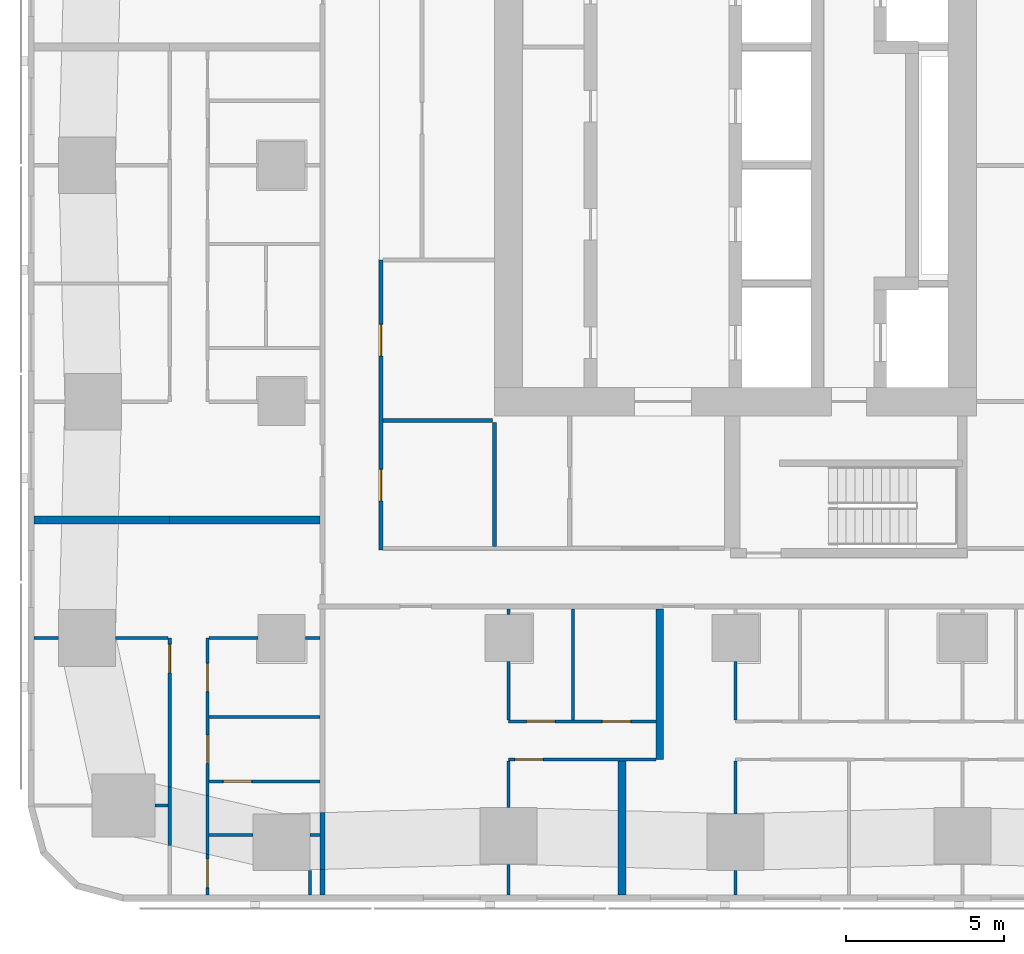
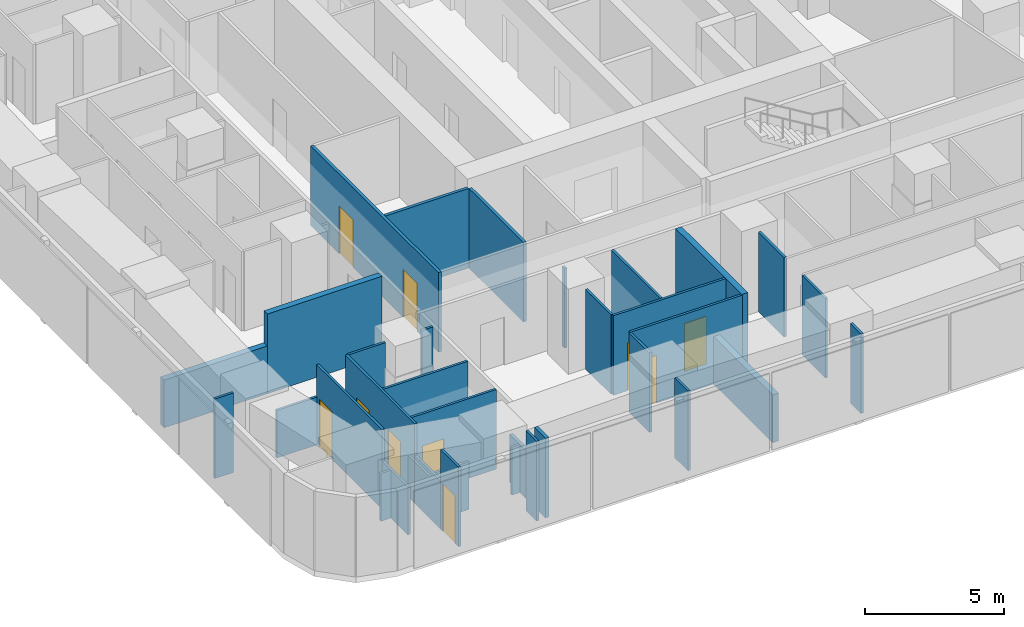
# One storey, part 2 of 15: 34 walls, 10 doors, 10 openings.
"""IFC4 building model written with IfcOpenShell, lengths in metres."""

import ifcopenshell
import ifcopenshell.guid

model = None  # the IFC model being written
_history = None  # IfcOwnerHistory: only IFC2X3 demands one
_inside = {}  # id of a spatial element -> (the spatial element, [elements in it])
_under = {}  # id of a project, library or spatial element -> (it, [spatial elements below it])
_declared = {}  # id of a project -> (the project, [libraries it declares])
_typed = {}  # id of a type object -> (the type object, [elements of that type])
_made_of = {}  # id of a material, layer set ... -> (it, [elements and type objects made of it])


def new_model(schema):
    """Start an empty IFC model of exactly this schema.

    Asked for "IFC4X3", IfcOpenShell would pick the latest addendum, in which some entities
    have other attributes; the version numbers below select the first issue.
    IFC2X3 requires an IfcOwnerHistory on every rooted entity: one is made here for all.
    """
    global model, _history
    if schema == "IFC4X3":
        model = ifcopenshell.file(schema_version=(4, 3, 0, 0))
    else:
        model = ifcopenshell.file(schema=schema)
    _inside.clear()
    _under.clear()
    _declared.clear()
    _typed.clear()
    _made_of.clear()
    _history = None
    if model.schema == "IFC2X3":
        org = make("IfcOrganization", Name="unknown")
        user = make(
            "IfcPersonAndOrganization",
            ThePerson=make("IfcPerson", FamilyName="unknown"),
            TheOrganization=org,
        )
        app = make(
            "IfcApplication",
            ApplicationDeveloper=org,
            Version="unknown",
            ApplicationFullName="unknown",
            ApplicationIdentifier="unknown",
        )
        _history = make(
            "IfcOwnerHistory",
            OwningUser=user,
            OwningApplication=app,
            ChangeAction="ADDED",
            CreationDate=0,
        )
    return model


def make(cls, **values):
    """One entity of the class cls with the attributes given. An attribute that is None is left unset."""
    return model.create_entity(
        cls, **{name: value for name, value in values.items() if value is not None}
    )


def rooted(cls, **values):
    """An entity with a GlobalId (a new one), such as an element, a storey or a relation."""
    return make(cls, GlobalId=ifcopenshell.guid.new(), OwnerHistory=_history, **values)


def si_unit(unit_type, name, prefix=None):
    """IfcSIUnit, for example si_unit("LENGTHUNIT", "METRE", prefix="MILLI")."""
    return make("IfcSIUnit", UnitType=unit_type, Prefix=prefix, Name=name)


def assignment(units):
    """IfcUnitAssignment: the units of a project."""
    return None if units is None else make("IfcUnitAssignment", Units=units)


def point(xyz):
    """IfcCartesianPoint."""
    return None if xyz is None else make("IfcCartesianPoint", Coordinates=xyz)


def direction(xyz):
    """IfcDirection."""
    return None if xyz is None else make("IfcDirection", DirectionRatios=xyz)


def frame(location, z_axis=None, x_axis=None):
    """IfcAxis2Placement3D, a coordinate frame: its origin and axes. An axis left out is left unset."""
    return make(
        "IfcAxis2Placement3D",
        Location=point(location),
        Axis=direction(z_axis),
        RefDirection=direction(x_axis),
    )


def frame_2d(location, x_axis=None):
    """IfcAxis2Placement2D, a coordinate frame in the plane: its origin and x axis."""
    return make(
        "IfcAxis2Placement2D", Location=point(location), RefDirection=direction(x_axis)
    )


def origin():
    """The frame at (0, 0, 0) with its axes left unset."""
    return frame((0.0, 0.0, 0.0))


def place(relative_to, where):
    """IfcLocalPlacement: puts the frame where relative to a parent placement (None: the world)."""
    return make(
        "IfcLocalPlacement", PlacementRelTo=relative_to, RelativePlacement=where
    )


def context(
    kind, dimensions, precision=None, world=None, true_north=None, identifier=None
):
    """IfcGeometricRepresentationContext, for example the 3D "Model" context."""
    return make(
        "IfcGeometricRepresentationContext",
        ContextIdentifier=identifier,
        ContextType=kind,
        CoordinateSpaceDimension=dimensions,
        Precision=precision,
        WorldCoordinateSystem=world,
        TrueNorth=true_north,
    )


def subcontext(parent, identifier, kind, view, scale=None):
    """IfcGeometricRepresentationSubContext, for example "Body" below "Model"."""
    return make(
        "IfcGeometricRepresentationSubContext",
        ContextIdentifier=identifier,
        ContextType=kind,
        ParentContext=parent,
        TargetScale=scale,
        TargetView=view,
    )


def project(units=None, contexts=None):
    """IfcProject with its units and contexts."""
    return rooted(
        "IfcProject",
        Name="project",
        RepresentationContexts=contexts,
        UnitsInContext=assignment(units),
    )


def spatial(cls, under=None, at=None, **own):
    """A site, building, storey or space (cls), placed at a placement, below another one or the project."""
    s = rooted(cls, ObjectPlacement=at, **own)
    if under is not None:
        _under.setdefault(under.id(), (under, []))[1].append(s)
    return s


def profile(cls, at=None, kind="AREA", **sizes):
    """A parametric profile (cls). Its sizes go by their IFC names, for example OverallWidth=200.0."""
    return make(cls, ProfileType=kind, Position=at, **sizes)


def rectangle(**sizes):
    """IfcRectangleProfileDef."""
    return profile("IfcRectangleProfileDef", **sizes)


def extrude(swept, where, along, depth):
    """IfcExtrudedAreaSolid: the profile swept, set in the frame where, extruded along a direction by depth."""
    return make(
        "IfcExtrudedAreaSolid",
        SweptArea=swept,
        Position=where,
        ExtrudedDirection=direction(along),
        Depth=depth,
    )


def shape(context_of_items, identifier, shape_type, items):
    """IfcShapeRepresentation: the items that make up one representation, for example the "Body"."""
    return make(
        "IfcShapeRepresentation",
        ContextOfItems=context_of_items,
        RepresentationIdentifier=identifier,
        RepresentationType=shape_type,
        Items=items,
    )


def material(Name=None, Category=None):
    """IfcMaterial."""
    return make("IfcMaterial", Name=Name, Category=Category)


def layer(
    of_material, thickness, ventilated=None, Name=None, Category=None, Priority=None
):
    """IfcMaterialLayer: one layer of a wall or slab, of a material (None: an air gap)."""
    return make(
        "IfcMaterialLayer",
        Material=of_material,
        LayerThickness=thickness,
        IsVentilated=ventilated,
        Name=Name,
        Category=Category,
        Priority=Priority,
    )


def layer_set(layers, Name=None):
    """IfcMaterialLayerSet."""
    return make("IfcMaterialLayerSet", MaterialLayers=layers, LayerSetName=Name)


def made_of(thing, what):
    """Note that an element or type object is made of a material, layer set ...; save() writes the relation."""
    if what is not None:
        _made_of.setdefault(what.id(), (what, []))[1].append(thing)
    return thing


def type_object(cls, material=None, **own):
    """A type object (cls), such as IfcWallType, which elements share."""
    return made_of(rooted(cls, **own), material)


def element(
    cls,
    number,
    at=None,
    inside=None,
    cuts=None,
    type_object=None,
    material=None,
    context=None,
    identifier="Body",
    shape_type=None,
    held_by="IfcProductDefinitionShape",
    body=None,
    shapes=None,
    **own,
):
    """One element of the class cls, such as IfcWall. Its Tag is "e" and its number.

    at: its placement. inside: the storey or other place that contains it. cuts: it is an
    opening in that element (IfcRelVoidsElement). A single representation is given by context,
    identifier, shape_type and body (its items); several are given by shapes. held_by: the class
    of the entity that holds the representations. save() writes the other relations.
    """
    e = rooted(cls, Tag="e%d" % number, ObjectPlacement=at, **own)
    if body is not None:
        shapes = [shape(context, identifier, shape_type, body)]
    if shapes is not None:
        e.Representation = make(held_by, Representations=shapes)
    if inside is not None:
        _inside.setdefault(inside.id(), (inside, []))[1].append(e)
    if cuts is not None:
        rooted(
            "IfcRelVoidsElement", RelatingBuildingElement=cuts, RelatedOpeningElement=e
        )
    if type_object is not None:
        _typed.setdefault(type_object.id(), (type_object, []))[1].append(e)
    return made_of(e, material)


def fill(opening, filler):
    """IfcRelFillsElement: the door or window that sits in an opening."""
    return rooted(
        "IfcRelFillsElement",
        RelatingOpeningElement=opening,
        RelatedBuildingElement=filler,
    )


def aggregate(whole, parts):
    """IfcRelAggregates: a whole, such as a stair, and the parts it consists of."""
    return rooted("IfcRelAggregates", RelatingObject=whole, RelatedObjects=parts)


def save(model, path):
    """Write the relations noted so far, then the file.

    IfcRelAggregates (storeys below a building ...), IfcRelContainedInSpatialStructure (elements
    in a storey), IfcRelDefinesByType, IfcRelAssociatesMaterial and IfcRelDeclares: one each for
    every whole, place, type object, material and project.
    """
    for whole, parts in _under.values():
        aggregate(whole, parts)
    for where, things in _inside.values():
        rooted(
            "IfcRelContainedInSpatialStructure",
            RelatedElements=things,
            RelatingStructure=where,
        )
    for kind, things in _typed.values():
        rooted("IfcRelDefinesByType", RelatedObjects=things, RelatingType=kind)
    for what, things in _made_of.values():
        rooted("IfcRelAssociatesMaterial", RelatedObjects=things, RelatingMaterial=what)
    for by, libraries in _declared.values():
        rooted("IfcRelDeclares", RelatingContext=by, RelatedDefinitions=libraries)
    model.write(path)


model = new_model("IFC4")

# Units and contexts
model_context = context("Model", 3, precision=1e-05, world=origin(), true_north=direction((0.0, 1.0)))
body_context = subcontext(model_context, "Body", "Model", "MODEL_VIEW")
ifc_project = project(units=[si_unit("LENGTHUNIT", "METRE"), si_unit("AREAUNIT", "SQUARE_METRE"), si_unit("VOLUMEUNIT", "CUBIC_METRE"), si_unit("PLANEANGLEUNIT", "RADIAN"), si_unit("MASSUNIT", "GRAM", prefix="KILO")], contexts=[model_context])

# Site, building, storey
site_placement = place(None, origin())
site = spatial("IfcSite", under=ifc_project, at=site_placement, CompositionType="ELEMENT")
building_placement = place(site_placement, origin())
building = spatial("IfcBuilding", under=site, at=building_placement, Name="Sheger Commons Tower", CompositionType="ELEMENT")
storey_placement = place(building_placement, frame((0.0, 0.0, 158.300048828125)))
storey = spatial("IfcBuildingStorey", under=building, at=storey_placement, Name="L40", CompositionType="ELEMENT", Elevation=158.300048828125)

# Walls
ifc_material_1 = material(Name="Hollow concrete block masonry, skimmed both sides", Category="masonry")
ifc_layer_1 = layer(ifc_material_1, 0.14990234375)
ifc_layer_set_1 = layer_set([ifc_layer_1], Name="CORRIDOR WALL 150")
wall_type_1 = type_object("IfcWallType", Name="CORRIDOR WALL 150", PredefinedType="SOLIDWALL", material=ifc_layer_set_1)
wall_1_placement = place(storey_placement, frame((8.5, -0.64990234375, 0.0), z_axis=(0.0, 0.0, 1.0), x_axis=(0.0, 1.0, 0.0)))
element("IfcWall", 1, at=wall_1_placement, inside=storey, type_object=wall_type_1, Name="Corridor wall L40", PredefinedType="SOLIDWALL", context=body_context, shape_type="SweptSolid", body=[
    extrude(rectangle(XDim=0.808837890625, YDim=0.14990234375, at=frame_2d((0.404296875, 0.0))), origin(), (0.0, 0.0, 1.0), 3.5),
])
wall_2_placement = place(storey_placement, frame((8.5, 0.158935546875, 0.0), z_axis=(0.0, 0.0, 1.0), x_axis=(0.0, 1.0, 0.0)))
element("IfcWall", 2, at=wall_2_placement, inside=storey, type_object=wall_type_1, Name="Corridor wall L40", PredefinedType="SOLIDWALL", context=body_context, shape_type="SweptSolid", body=[
    extrude(rectangle(XDim=1.80517578125, YDim=0.14990234375, at=frame_2d((0.902587890625, 0.0))), origin(), (0.0, 0.0, 1.0), 2.099853515625),
])
ifc_material_2 = material(Name="Dense concrete block masonry, plastered both sides (separating wall between flats)", Category="masonry")
ifc_layer_2 = layer(ifc_material_2, 0.25)
ifc_layer_set_2 = layer_set([ifc_layer_2], Name="DEMISING WALL 250")
wall_type_2 = type_object("IfcWallType", Name="DEMISING WALL 250", PredefinedType="SOLIDWALL", material=ifc_layer_set_2)
wall_3_placement = place(storey_placement, frame((-0.64990234375, 11.25, 0.0), z_axis=(0.0, 0.0, 1.0), x_axis=(1.0, 0.0, 0.0)))
element("IfcWall", 3, at=wall_3_placement, inside=storey, type_object=wall_type_2, Name="Demising wall L40", PredefinedType="SOLIDWALL", context=body_context, shape_type="SweptSolid", body=[
    extrude(rectangle(XDim=4.2998046875, YDim=0.25, at=frame_2d((2.14990234375, 0.0))), origin(), (0.0, 0.0, 1.0), 2.099853515625),
])
wall_4_placement = place(storey_placement, frame((3.64990234375, 11.25, 0.0), z_axis=(0.0, 0.0, 1.0), x_axis=(1.0, 0.0, 0.0)))
element("IfcWall", 4, at=wall_4_placement, inside=storey, type_object=wall_type_2, Name="Demising wall L40", PredefinedType="SOLIDWALL", context=body_context, shape_type="SweptSolid", body=[
    extrude(rectangle(XDim=4.775146484375, YDim=0.25, at=frame_2d((2.3876953125, 0.0))), origin(), (0.0, 0.0, 1.0), 3.5),
])
wall_5_placement = place(storey_placement, frame((18.0, -0.64990234375, 0.0), z_axis=(0.0, 0.0, 1.0), x_axis=(0.0, 1.0, 0.0)))
element("IfcWall", 5, at=wall_5_placement, inside=storey, type_object=wall_type_2, Name="Demising wall L40", PredefinedType="SOLIDWALL", context=body_context, shape_type="SweptSolid", body=[
    extrude(rectangle(XDim=4.25, YDim=0.25, at=frame_2d((2.125, 0.0))), origin(), (0.0, 0.0, 1.0), 2.099853515625),
])
wall_6_placement = place(storey_placement, frame((19.198974609375, 3.64990234375, 0.0), z_axis=(0.0, 0.0, 1.0), x_axis=(0.0, 1.0, 0.0)))
element("IfcWall", 6, at=wall_6_placement, inside=storey, type_object=wall_type_2, Name="Demising wall L40", PredefinedType="SOLIDWALL", context=body_context, shape_type="SweptSolid", body=[
    extrude(rectangle(XDim=4.775146484375, YDim=0.25, at=frame_2d((2.3876953125, 0.0))), origin(), (0.0, 0.0, 1.0), 3.5),
])
ifc_material_3 = material(Name="Gypsum board on steel studs", Category="steel")
ifc_layer_3 = layer(ifc_material_3, 0.10009765625)
ifc_layer_set_3 = layer_set([ifc_layer_3], Name="PARTITION 100")
wall_type_3 = type_object("IfcWallType", Name="PARTITION 100", PredefinedType="PARTITIONING", material=ifc_layer_set_3)
wall_7_placement = place(storey_placement, frame((8.10009765625, 0.1240234375, 0.0), z_axis=(0.0, 0.0, 1.0), x_axis=(0.0, -1.0, 0.0)))
element("IfcWall", 7, at=wall_7_placement, inside=storey, type_object=wall_type_3, Name="Partition L40", PredefinedType="PARTITIONING", context=body_context, shape_type="SweptSolid", body=[
    extrude(rectangle(XDim=0.77392578125, YDim=0.10009765625, at=frame_2d((0.386962890625, 0.0))), origin(), (0.0, 0.0, 1.0), 3.5),
])
wall_8_placement = place(storey_placement, frame((3.64990234375, 0.912109375, 0.0), z_axis=(0.0, 0.0, 1.0), x_axis=(0.0, 1.0, 0.0)))
element("IfcWall", 8, at=wall_8_placement, inside=storey, type_object=wall_type_3, Name="Partition L40", PredefinedType="PARTITIONING", context=body_context, shape_type="SweptSolid", body=[
    extrude(rectangle(XDim=1.869873046875, YDim=0.10009765625, at=frame_2d((0.93505859375, 0.0))), origin(), (0.0, 0.0, 1.0), 2.099853515625),
])

# Wall, opening, door
wall_9_placement = place(storey_placement, frame((3.64990234375, 2.781982421875, 0.0), z_axis=(0.0, 0.0, 1.0), x_axis=(0.0, 1.0, 0.0)))
wall_9 = element("IfcWall", 9, at=wall_9_placement, inside=storey, type_object=wall_type_3, Name="Partition L40", PredefinedType="PARTITIONING", context=body_context, shape_type="SweptSolid", body=[
    extrude(rectangle(XDim=4.718017578125, YDim=0.10009765625, at=frame_2d((2.35888671875, 0.0))), origin(), (0.0, 0.0, 1.0), 3.5),
])
opening_1_placement = place(wall_9_placement, frame((3.617919921875, 0.0, 0.0)))
opening_1 = element("IfcOpeningElement", 10, at=opening_1_placement, cuts=wall_9, Name="Opening D2", PredefinedType="OPENING", context=body_context, shape_type="SweptSolid", body=[
    extrude(rectangle(XDim=0.89990234375, YDim=2.10009765625, at=frame_2d((0.449951171875, 1.050048828125))), frame((0.0, 0.06005859375, 0.0), z_axis=(0.0, -1.0, 0.0), x_axis=(1.0, 0.0, 0.0)), (0.0, 0.0, 1.0), 0.1201171875),
])
ifc_material_4 = material(Name="Timber door set", Category="wood")
door_type_1 = type_object("IfcDoorType", Name="INTERNAL DOOR 900x2100", OperationType="NOTDEFINED", PredefinedType="DOOR", material=ifc_material_4)
door_1_placement = place(opening_1_placement, origin())
door_1 = element("IfcDoor", 11, at=door_1_placement, inside=storey, type_object=door_type_1, Name="Main bedroom door", OperationType="SINGLE_SWING_RIGHT", OverallHeight=2.10009765625, OverallWidth=0.89990234375, PredefinedType="DOOR", context=body_context, shape_type="SweptSolid", body=[
    extrude(rectangle(XDim=0.89990234375, YDim=2.10009765625, at=frame_2d((0.449951171875, 1.050048828125))), frame((0.0, 0.02490234375, 0.0), z_axis=(0.0, -1.0, 0.0), x_axis=(1.0, 0.0, 0.0)), (0.0, 0.0, 1.0), 0.050048828125),
])
fill(opening_1, door_1)

wall_10_placement = place(storey_placement, frame((4.85009765625, -0.64990234375, 0.0), z_axis=(0.0, 0.0, 1.0), x_axis=(0.0, 1.0, 0.0)))
wall_10 = element("IfcWall", 12, at=wall_10_placement, inside=storey, type_object=wall_type_3, Name="Partition L40", PredefinedType="PARTITIONING", context=body_context, shape_type="SweptSolid", body=[
    extrude(rectangle(XDim=1.283935546875, YDim=0.10009765625, at=frame_2d((0.64208984375, 0.0))), origin(), (0.0, 0.0, 1.0), 3.5),
])
opening_2_placement = place(wall_10_placement, frame((0.23388671875, 0.0, 0.0)))
opening_2 = element("IfcOpeningElement", 13, at=opening_2_placement, cuts=wall_10, Name="Opening D2", PredefinedType="OPENING", context=body_context, shape_type="SweptSolid", body=[
    extrude(rectangle(XDim=0.89990234375, YDim=2.10009765625, at=frame_2d((0.449951171875, 1.050048828125))), frame((0.0, 0.06005859375, 0.0), z_axis=(0.0, -1.0, 0.0), x_axis=(1.0, 0.0, 0.0)), (0.0, 0.0, 1.0), 0.1201171875),
])
door_2_placement = place(opening_2_placement, origin())
door_2 = element("IfcDoor", 14, at=door_2_placement, inside=storey, type_object=door_type_1, Name="Laundry room door", OperationType="SINGLE_SWING_LEFT", OverallHeight=2.10009765625, OverallWidth=0.89990234375, PredefinedType="DOOR", context=body_context, shape_type="SweptSolid", body=[
    extrude(rectangle(XDim=0.89990234375, YDim=2.10009765625, at=frame_2d((0.449951171875, 1.050048828125))), frame((0.0, 0.02490234375, 0.0), z_axis=(0.0, -1.0, 0.0), x_axis=(1.0, 0.0, 0.0)), (0.0, 0.0, 1.0), 0.050048828125),
])
fill(opening_2, door_2)

# Wall
wall_11_placement = place(storey_placement, frame((4.85009765625, 0.634033203125, 0.0), z_axis=(0.0, 0.0, 1.0), x_axis=(0.0, 1.0, 0.0)))
element("IfcWall", 15, at=wall_11_placement, inside=storey, type_object=wall_type_3, Name="Partition L40", PredefinedType="PARTITIONING", context=body_context, shape_type="SweptSolid", body=[
    extrude(rectangle(XDim=1.870849609375, YDim=0.10009765625, at=frame_2d((0.935546875, 0.0))), origin(), (0.0, 0.0, 1.0), 2.099853515625),
])

# Wall, openings, doors
wall_12_placement = place(storey_placement, frame((4.85009765625, 2.5048828125, 0.0), z_axis=(0.0, 0.0, 1.0), x_axis=(0.0, 1.0, 0.0)))
wall_12 = element("IfcWall", 16, at=wall_12_placement, inside=storey, type_object=wall_type_3, Name="Partition L40", PredefinedType="PARTITIONING", context=body_context, shape_type="SweptSolid", body=[
    extrude(rectangle(XDim=4.9951171875, YDim=0.10009765625, at=frame_2d((2.49755859375, 0.0))), origin(), (0.0, 0.0, 1.0), 3.5),
])
opening_3_placement = place(wall_12_placement, frame((3.2939453125, 0.0, 0.0)))
opening_3 = element("IfcOpeningElement", 17, at=opening_3_placement, cuts=wall_12, Name="Opening D2", PredefinedType="OPENING", context=body_context, shape_type="SweptSolid", body=[
    extrude(rectangle(XDim=0.89990234375, YDim=2.10009765625, at=frame_2d((0.449951171875, 1.050048828125))), frame((0.0, 0.06005859375, 0.0), z_axis=(0.0, -1.0, 0.0), x_axis=(1.0, 0.0, 0.0)), (0.0, 0.0, 1.0), 0.1201171875),
])
opening_4_placement = place(wall_12_placement, frame((1.01904296875, 0.0, 0.0)))
opening_4 = element("IfcOpeningElement", 18, at=opening_4_placement, cuts=wall_12, Name="Opening D2", PredefinedType="OPENING", context=body_context, shape_type="SweptSolid", body=[
    extrude(rectangle(XDim=0.89990234375, YDim=2.10009765625, at=frame_2d((0.449951171875, 1.050048828125))), frame((0.0, 0.06005859375, 0.0), z_axis=(0.0, -1.0, 0.0), x_axis=(1.0, 0.0, 0.0)), (0.0, 0.0, 1.0), 0.1201171875),
])
door_3_placement = place(opening_3_placement, origin())
door_3 = element("IfcDoor", 19, at=door_3_placement, inside=storey, type_object=door_type_1, Name="Store and laundry door", OperationType="SINGLE_SWING_LEFT", OverallHeight=2.10009765625, OverallWidth=0.89990234375, PredefinedType="DOOR", context=body_context, shape_type="SweptSolid", body=[
    extrude(rectangle(XDim=0.89990234375, YDim=2.10009765625, at=frame_2d((0.449951171875, 1.050048828125))), frame((0.0, 0.02490234375, 0.0), z_axis=(0.0, -1.0, 0.0), x_axis=(1.0, 0.0, 0.0)), (0.0, 0.0, 1.0), 0.050048828125),
])
fill(opening_3, door_3)
door_4_placement = place(opening_4_placement, origin())
door_4 = element("IfcDoor", 20, at=door_4_placement, inside=storey, type_object=door_type_1, Name="Bathroom door", OperationType="SINGLE_SWING_LEFT", OverallHeight=2.10009765625, OverallWidth=0.89990234375, PredefinedType="DOOR", context=body_context, shape_type="SweptSolid", body=[
    extrude(rectangle(XDim=0.89990234375, YDim=2.10009765625, at=frame_2d((0.449951171875, 1.050048828125))), frame((0.0, 0.02490234375, 0.0), z_axis=(0.0, -1.0, 0.0), x_axis=(1.0, 0.0, 0.0)), (0.0, 0.0, 1.0), 0.050048828125),
])
fill(opening_4, door_4)

# Walls
wall_13_placement = place(storey_placement, frame((3.18701171875, 2.18603515625, 0.0), z_axis=(0.0, 0.0, 1.0), x_axis=(1.0, 0.0, 0.0)))
element("IfcWall", 21, at=wall_13_placement, inside=storey, type_object=wall_type_3, Name="Partition L40", PredefinedType="PARTITIONING", context=body_context, shape_type="SweptSolid", body=[
    extrude(rectangle(XDim=0.4130859375, YDim=0.10009765625, at=frame_2d((0.20654296875, 0.0))), origin(), (0.0, 0.0, 1.0), 2.099853515625),
])
wall_14_placement = place(storey_placement, frame((-0.64990234375, 7.5, 0.0), z_axis=(0.0, 0.0, 1.0), x_axis=(1.0, 0.0, 0.0)))
element("IfcWall", 22, at=wall_14_placement, inside=storey, type_object=wall_type_3, Name="Partition L40", PredefinedType="PARTITIONING", context=body_context, shape_type="SweptSolid", body=[
    extrude(rectangle(XDim=0.77392578125, YDim=0.10009765625, at=frame_2d((0.386962890625, 0.0))), origin(), (0.0, 0.0, 1.0), 3.5),
])
wall_15_placement = place(storey_placement, frame((1.926025390625, 7.5, 0.0), z_axis=(0.0, 0.0, 1.0), x_axis=(1.0, 0.0, 0.0)))
element("IfcWall", 23, at=wall_15_placement, inside=storey, type_object=wall_type_3, Name="Partition L40", PredefinedType="PARTITIONING", context=body_context, shape_type="SweptSolid", body=[
    extrude(rectangle(XDim=1.674072265625, YDim=0.10009765625, at=frame_2d((0.8369140625, 0.0))), origin(), (0.0, 0.0, 1.0), 2.099853515625),
])
wall_16_placement = place(storey_placement, frame((4.89990234375, 4.9990234375, 0.0), z_axis=(0.0, 0.0, 1.0), x_axis=(1.0, 0.0, 0.0)))
element("IfcWall", 24, at=wall_16_placement, inside=storey, type_object=wall_type_3, Name="Partition L40", PredefinedType="PARTITIONING", context=body_context, shape_type="SweptSolid", body=[
    extrude(rectangle(XDim=3.525146484375, YDim=0.10009765625, at=frame_2d((1.7626953125, 0.0))), origin(), (0.0, 0.0, 1.0), 3.5),
])
wall_17_placement = place(storey_placement, frame((4.89990234375, 7.5, 0.0), z_axis=(0.0, 0.0, 1.0), x_axis=(1.0, 0.0, 0.0)))
element("IfcWall", 25, at=wall_17_placement, inside=storey, type_object=wall_type_3, Name="Partition L40", PredefinedType="PARTITIONING", context=body_context, shape_type="SweptSolid", body=[
    extrude(rectangle(XDim=1.549072265625, YDim=0.10009765625, at=frame_2d((0.7744140625, 0.0))), origin(), (0.0, 0.0, 1.0), 3.5),
])
wall_18_placement = place(storey_placement, frame((7.950927734375, 7.5, 0.0), z_axis=(0.0, 0.0, 1.0), x_axis=(1.0, 0.0, 0.0)))
element("IfcWall", 26, at=wall_18_placement, inside=storey, type_object=wall_type_3, Name="Partition L40", PredefinedType="PARTITIONING", context=body_context, shape_type="SweptSolid", body=[
    extrude(rectangle(XDim=0.47412109375, YDim=0.10009765625, at=frame_2d((0.237060546875, 0.0))), origin(), (0.0, 0.0, 1.0), 3.5),
])
wall_19_placement = place(storey_placement, frame((4.89990234375, 1.2490234375, 0.0), z_axis=(0.0, 0.0, 1.0), x_axis=(1.0, 0.0, 0.0)))
element("IfcWall", 27, at=wall_19_placement, inside=storey, type_object=wall_type_3, Name="Partition L40", PredefinedType="PARTITIONING", context=body_context, shape_type="SweptSolid", body=[
    extrude(rectangle(XDim=1.399169921875, YDim=0.10009765625, at=frame_2d((0.69970703125, 0.0))), origin(), (0.0, 0.0, 1.0), 2.099853515625),
])
wall_20_placement = place(storey_placement, frame((8.10107421875, 1.2490234375, 0.0), z_axis=(0.0, 0.0, 1.0), x_axis=(1.0, 0.0, 0.0)))
element("IfcWall", 28, at=wall_20_placement, inside=storey, type_object=wall_type_3, Name="Partition L40", PredefinedType="PARTITIONING", context=body_context, shape_type="SweptSolid", body=[
    extrude(rectangle(XDim=0.323974609375, YDim=0.10009765625, at=frame_2d((0.162109375, 0.0))), origin(), (0.0, 0.0, 1.0), 2.099853515625),
])

# Wall, opening, door
wall_21_placement = place(storey_placement, frame((4.89990234375, 2.948974609375, 0.0), z_axis=(0.0, 0.0, 1.0), x_axis=(1.0, 0.0, 0.0)))
wall_21 = element("IfcWall", 29, at=wall_21_placement, inside=storey, type_object=wall_type_3, Name="Partition L40", PredefinedType="PARTITIONING", context=body_context, shape_type="SweptSolid", body=[
    extrude(rectangle(XDim=3.525146484375, YDim=0.10009765625, at=frame_2d((1.7626953125, 0.0))), origin(), (0.0, 0.0, 1.0), 3.5),
])
opening_5_placement = place(wall_21_placement, frame((0.449951171875, 0.0, 0.0)))
opening_5 = element("IfcOpeningElement", 30, at=opening_5_placement, cuts=wall_21, Name="Opening D2", PredefinedType="OPENING", context=body_context, shape_type="SweptSolid", body=[
    extrude(rectangle(XDim=0.89990234375, YDim=2.10009765625, at=frame_2d((0.449951171875, 1.050048828125))), frame((0.0, 0.06005859375, 0.0), z_axis=(0.0, -1.0, 0.0), x_axis=(1.0, 0.0, 0.0)), (0.0, 0.0, 1.0), 0.1201171875),
])
door_5_placement = place(opening_5_placement, origin())
door_5 = element("IfcDoor", 31, at=door_5_placement, inside=storey, type_object=door_type_1, Name="Linen store door", OperationType="SINGLE_SWING_RIGHT", OverallHeight=2.10009765625, OverallWidth=0.89990234375, PredefinedType="DOOR", context=body_context, shape_type="SweptSolid", body=[
    extrude(rectangle(XDim=0.89990234375, YDim=2.10009765625, at=frame_2d((0.449951171875, 1.050048828125))), frame((0.0, 0.02490234375, 0.0), z_axis=(0.0, -1.0, 0.0), x_axis=(1.0, 0.0, 0.0)), (0.0, 0.0, 1.0), 0.050048828125),
])
fill(opening_5, door_5)

wall_22_placement = place(storey_placement, frame((19.073974609375, 3.64990234375, 0.0), z_axis=(0.0, 0.0, 1.0), x_axis=(-1.0, 0.0, 0.0)))
wall_22 = element("IfcWall", 32, at=wall_22_placement, inside=storey, type_object=wall_type_3, Name="Partition L40", PredefinedType="PARTITIONING", context=body_context, shape_type="SweptSolid", body=[
    extrude(rectangle(XDim=4.674072265625, YDim=0.10009765625, at=frame_2d((2.3369140625, 0.0))), origin(), (0.0, 0.0, 1.0), 3.5),
])
opening_6_placement = place(wall_22_placement, frame((3.573974609375, 0.0, 0.0)))
opening_6 = element("IfcOpeningElement", 33, at=opening_6_placement, cuts=wall_22, Name="Opening D2", PredefinedType="OPENING", context=body_context, shape_type="SweptSolid", body=[
    extrude(rectangle(XDim=0.89990234375, YDim=2.10009765625, at=frame_2d((0.449951171875, 1.050048828125))), frame((0.0, 0.06005859375, 0.0), z_axis=(0.0, -1.0, 0.0), x_axis=(1.0, 0.0, 0.0)), (0.0, 0.0, 1.0), 0.1201171875),
])
door_6_placement = place(opening_6_placement, origin())
door_6 = element("IfcDoor", 34, at=door_6_placement, inside=storey, type_object=door_type_1, Name="Main bedroom door", OperationType="SINGLE_SWING_RIGHT", OverallHeight=2.10009765625, OverallWidth=0.89990234375, PredefinedType="DOOR", context=body_context, shape_type="SweptSolid", body=[
    extrude(rectangle(XDim=0.89990234375, YDim=2.10009765625, at=frame_2d((0.449951171875, 1.050048828125))), frame((0.0, 0.02490234375, 0.0), z_axis=(0.0, -1.0, 0.0), x_axis=(1.0, 0.0, 0.0)), (0.0, 0.0, 1.0), 0.050048828125),
])
fill(opening_6, door_6)

# Wall, openings, doors
wall_23_placement = place(storey_placement, frame((19.073974609375, 4.85009765625, 0.0), z_axis=(0.0, 0.0, 1.0), x_axis=(-1.0, 0.0, 0.0)))
wall_23 = element("IfcWall", 35, at=wall_23_placement, inside=storey, type_object=wall_type_3, Name="Partition L40", PredefinedType="PARTITIONING", context=body_context, shape_type="SweptSolid", body=[
    extrude(rectangle(XDim=4.674072265625, YDim=0.10009765625, at=frame_2d((2.3369140625, 0.0))), origin(), (0.0, 0.0, 1.0), 3.5),
])
opening_7_placement = place(wall_23_placement, frame((3.198974609375, 0.0, 0.0)))
opening_7 = element("IfcOpeningElement", 36, at=opening_7_placement, cuts=wall_23, Name="Opening D2", PredefinedType="OPENING", context=body_context, shape_type="SweptSolid", body=[
    extrude(rectangle(XDim=0.89990234375, YDim=2.10009765625, at=frame_2d((0.449951171875, 1.050048828125))), frame((0.0, 0.06005859375, 0.0), z_axis=(0.0, -1.0, 0.0), x_axis=(1.0, 0.0, 0.0)), (0.0, 0.0, 1.0), 0.1201171875),
])
opening_8_placement = place(wall_23_placement, frame((0.799072265625, 0.0, 0.0)))
opening_8 = element("IfcOpeningElement", 37, at=opening_8_placement, cuts=wall_23, Name="Opening D2", PredefinedType="OPENING", context=body_context, shape_type="SweptSolid", body=[
    extrude(rectangle(XDim=0.89990234375, YDim=2.10009765625, at=frame_2d((0.449951171875, 1.050048828125))), frame((0.0, 0.06005859375, 0.0), z_axis=(0.0, -1.0, 0.0), x_axis=(1.0, 0.0, 0.0)), (0.0, 0.0, 1.0), 0.1201171875),
])
door_7_placement = place(opening_7_placement, origin())
door_7 = element("IfcDoor", 38, at=door_7_placement, inside=storey, type_object=door_type_1, Name="Bathroom door", OperationType="SINGLE_SWING_LEFT", OverallHeight=2.10009765625, OverallWidth=0.89990234375, PredefinedType="DOOR", context=body_context, shape_type="SweptSolid", body=[
    extrude(rectangle(XDim=0.89990234375, YDim=2.10009765625, at=frame_2d((0.449951171875, 1.050048828125))), frame((0.0, 0.02490234375, 0.0), z_axis=(0.0, -1.0, 0.0), x_axis=(1.0, 0.0, 0.0)), (0.0, 0.0, 1.0), 0.050048828125),
])
fill(opening_7, door_7)
door_8_placement = place(opening_8_placement, origin())
door_8 = element("IfcDoor", 39, at=door_8_placement, inside=storey, type_object=door_type_1, Name="Store door", OperationType="SINGLE_SWING_RIGHT", OverallHeight=2.10009765625, OverallWidth=0.89990234375, PredefinedType="DOOR", context=body_context, shape_type="SweptSolid", body=[
    extrude(rectangle(XDim=0.89990234375, YDim=2.10009765625, at=frame_2d((0.449951171875, 1.050048828125))), frame((0.0, 0.02490234375, 0.0), z_axis=(0.0, -1.0, 0.0), x_axis=(1.0, 0.0, 0.0)), (0.0, 0.0, 1.0), 0.050048828125),
])
fill(opening_8, door_8)

# Walls
wall_24_placement = place(storey_placement, frame((14.39990234375, -0.64990234375, 0.0), z_axis=(0.0, 0.0, 1.0), x_axis=(0.0, 1.0, 0.0)))
element("IfcWall", 40, at=wall_24_placement, inside=storey, type_object=wall_type_3, Name="Partition L40", PredefinedType="PARTITIONING", context=body_context, shape_type="SweptSolid", body=[
    extrude(rectangle(XDim=0.973876953125, YDim=0.10009765625, at=frame_2d((0.48681640625, 0.0))), origin(), (0.0, 0.0, 1.0), 3.5),
])
wall_25_placement = place(storey_placement, frame((14.39990234375, 2.1259765625, 0.0), z_axis=(0.0, 0.0, 1.0), x_axis=(0.0, 1.0, 0.0)))
element("IfcWall", 41, at=wall_25_placement, inside=storey, type_object=wall_type_3, Name="Partition L40", PredefinedType="PARTITIONING", context=body_context, shape_type="SweptSolid", body=[
    extrude(rectangle(XDim=1.47412109375, YDim=0.10009765625, at=frame_2d((0.737060546875, 0.0))), origin(), (0.0, 0.0, 1.0), 3.5),
])
wall_26_placement = place(storey_placement, frame((14.39990234375, 4.89990234375, 0.0), z_axis=(0.0, 0.0, 1.0), x_axis=(0.0, 1.0, 0.0)))
element("IfcWall", 42, at=wall_26_placement, inside=storey, type_object=wall_type_3, Name="Partition L40", PredefinedType="PARTITIONING", context=body_context, shape_type="SweptSolid", body=[
    extrude(rectangle(XDim=1.84912109375, YDim=0.10009765625, at=frame_2d((0.924560546875, 0.0))), origin(), (0.0, 0.0, 1.0), 3.5),
])
wall_27_placement = place(storey_placement, frame((14.39990234375, 8.2509765625, 0.0), z_axis=(0.0, 0.0, 1.0), x_axis=(0.0, 1.0, 0.0)))
element("IfcWall", 43, at=wall_27_placement, inside=storey, type_object=wall_type_3, Name="Partition L40", PredefinedType="PARTITIONING", context=body_context, shape_type="SweptSolid", body=[
    extrude(rectangle(XDim=0.174072265625, YDim=0.10009765625, at=frame_2d((0.0869140625, 0.0))), origin(), (0.0, 0.0, 1.0), 3.5),
])
wall_28_placement = place(storey_placement, frame((16.449951171875, 4.89990234375, 0.0), z_axis=(0.0, 0.0, 1.0), x_axis=(0.0, 1.0, 0.0)))
element("IfcWall", 44, at=wall_28_placement, inside=storey, type_object=wall_type_3, Name="Partition L40", PredefinedType="PARTITIONING", context=body_context, shape_type="SweptSolid", body=[
    extrude(rectangle(XDim=3.525146484375, YDim=0.10009765625, at=frame_2d((1.7626953125, 0.0))), origin(), (0.0, 0.0, 1.0), 3.5),
])
wall_29_placement = place(storey_placement, frame((21.60009765625, -0.64990234375, 0.0), z_axis=(0.0, 0.0, 1.0), x_axis=(0.0, 1.0, 0.0)))
element("IfcWall", 45, at=wall_29_placement, inside=storey, type_object=wall_type_3, Name="Partition L40", PredefinedType="PARTITIONING", context=body_context, shape_type="SweptSolid", body=[
    extrude(rectangle(XDim=0.77392578125, YDim=0.10009765625, at=frame_2d((0.386962890625, 0.0))), origin(), (0.0, 0.0, 1.0), 3.5),
])
wall_30_placement = place(storey_placement, frame((21.60009765625, 1.926025390625, 0.0), z_axis=(0.0, 0.0, 1.0), x_axis=(0.0, 1.0, 0.0)))
element("IfcWall", 46, at=wall_30_placement, inside=storey, type_object=wall_type_3, Name="Partition L40", PredefinedType="PARTITIONING", context=body_context, shape_type="SweptSolid", body=[
    extrude(rectangle(XDim=1.674072265625, YDim=0.10009765625, at=frame_2d((0.8369140625, 0.0))), origin(), (0.0, 0.0, 1.0), 3.5),
])
wall_31_placement = place(storey_placement, frame((21.60009765625, 4.89990234375, 0.0), z_axis=(0.0, 0.0, 1.0), x_axis=(0.0, 1.0, 0.0)))
element("IfcWall", 47, at=wall_31_placement, inside=storey, type_object=wall_type_3, Name="Partition L40", PredefinedType="PARTITIONING", context=body_context, shape_type="SweptSolid", body=[
    extrude(rectangle(XDim=1.84912109375, YDim=0.10009765625, at=frame_2d((0.924560546875, 0.0))), origin(), (0.0, 0.0, 1.0), 3.5),
])

# Wall, openings, doors
ifc_material_5 = material(Name="Gypsum board on steel studs, two layers each side, fire rated", Category="steel")
ifc_layer_4 = layer(ifc_material_5, 0.125)
ifc_layer_set_4 = layer_set([ifc_layer_4], Name="SERVICE WALL 125")
wall_type_4 = type_object("IfcWallType", Name="SERVICE WALL 125", PredefinedType="PARTITIONING", material=ifc_layer_set_4)
wall_32_placement = place(storey_placement, frame((10.35009765625, 10.300048828125, 0.0), z_axis=(0.0, 0.0, 1.0), x_axis=(0.0, 1.0, 0.0)))
wall_32 = element("IfcWall", 48, at=wall_32_placement, inside=storey, type_object=wall_type_4, Name="Service room wall L40", PredefinedType="PARTITIONING", context=body_context, shape_type="SweptSolid", body=[
    extrude(rectangle(XDim=9.199951171875, YDim=0.125, at=frame_2d((4.60009765625, 0.0))), origin(), (0.0, 0.0, 1.0), 3.5),
])
opening_9_placement = place(wall_32_placement, frame((1.550048828125, 0.0, 0.0)))
opening_9 = element("IfcOpeningElement", 49, at=opening_9_placement, cuts=wall_32, Name="Opening D4", PredefinedType="OPENING", context=body_context, shape_type="SweptSolid", body=[
    extrude(rectangle(XDim=1.0, YDim=2.10009765625, at=frame_2d((0.5, 1.050048828125))), frame((0.0, 0.072509765625, 0.0), z_axis=(0.0, -1.0, 0.0), x_axis=(1.0, 0.0, 0.0)), (0.0, 0.0, 1.0), 0.14501953125),
])
opening_10_placement = place(wall_32_placement, frame((6.14990234375, 0.0, 0.0)))
opening_10 = element("IfcOpeningElement", 50, at=opening_10_placement, cuts=wall_32, Name="Opening D4", PredefinedType="OPENING", context=body_context, shape_type="SweptSolid", body=[
    extrude(rectangle(XDim=1.0, YDim=2.10009765625, at=frame_2d((0.5, 1.050048828125))), frame((0.0, 0.072509765625, 0.0), z_axis=(0.0, -1.0, 0.0), x_axis=(1.0, 0.0, 0.0)), (0.0, 0.0, 1.0), 0.14501953125),
])
ifc_material_6 = material(Name="Steel door set, fire rated", Category="steel")
door_type_2 = type_object("IfcDoorType", Name="SERVICE DOOR 1000x2100", OperationType="NOTDEFINED", PredefinedType="DOOR", material=ifc_material_6)
door_9_placement = place(opening_9_placement, origin())
door_9 = element("IfcDoor", 51, at=door_9_placement, inside=storey, type_object=door_type_2, Name="Refuse chute room door", OperationType="SINGLE_SWING_RIGHT", OverallHeight=2.10009765625, OverallWidth=1.0, PredefinedType="DOOR", context=body_context, shape_type="SweptSolid", body=[
    extrude(rectangle(XDim=1.0, YDim=2.10009765625, at=frame_2d((0.5, 1.050048828125))), frame((0.0, 0.02490234375, 0.0), z_axis=(0.0, -1.0, 0.0), x_axis=(1.0, 0.0, 0.0)), (0.0, 0.0, 1.0), 0.050048828125),
])
fill(opening_9, door_9)
door_10_placement = place(opening_10_placement, origin())
door_10 = element("IfcDoor", 52, at=door_10_placement, inside=storey, type_object=door_type_2, Name="Caretaker's store door", OperationType="SINGLE_SWING_LEFT", OverallHeight=2.10009765625, OverallWidth=1.0, PredefinedType="DOOR", context=body_context, shape_type="SweptSolid", body=[
    extrude(rectangle(XDim=1.0, YDim=2.10009765625, at=frame_2d((0.5, 1.050048828125))), frame((0.0, 0.02490234375, 0.0), z_axis=(0.0, -1.0, 0.0), x_axis=(1.0, 0.0, 0.0)), (0.0, 0.0, 1.0), 0.050048828125),
])
fill(opening_10, door_10)

# Walls
wall_33_placement = place(storey_placement, frame((10.4130859375, 14.39990234375, 0.0), z_axis=(0.0, 0.0, 1.0), x_axis=(1.0, 0.0, 0.0)))
element("IfcWall", 53, at=wall_33_placement, inside=storey, type_object=wall_type_4, Name="Service room wall L40", PredefinedType="PARTITIONING", context=body_context, shape_type="SweptSolid", body=[
    extrude(rectangle(XDim=3.474853515625, YDim=0.125, at=frame_2d((1.7373046875, 0.0))), origin(), (0.0, 0.0, 1.0), 3.5),
])
wall_34_placement = place(storey_placement, frame((13.949951171875, 10.4130859375, 0.0), z_axis=(0.0, 0.0, 1.0), x_axis=(0.0, 1.0, 0.0)))
element("IfcWall", 54, at=wall_34_placement, inside=storey, type_object=wall_type_4, Name="Service room wall L40", PredefinedType="PARTITIONING", context=body_context, shape_type="SweptSolid", body=[
    extrude(rectangle(XDim=3.9248046875, YDim=0.125, at=frame_2d((1.96240234375, 0.0))), origin(), (0.0, 0.0, 1.0), 3.5),
])

save(model, "model.ifc")
